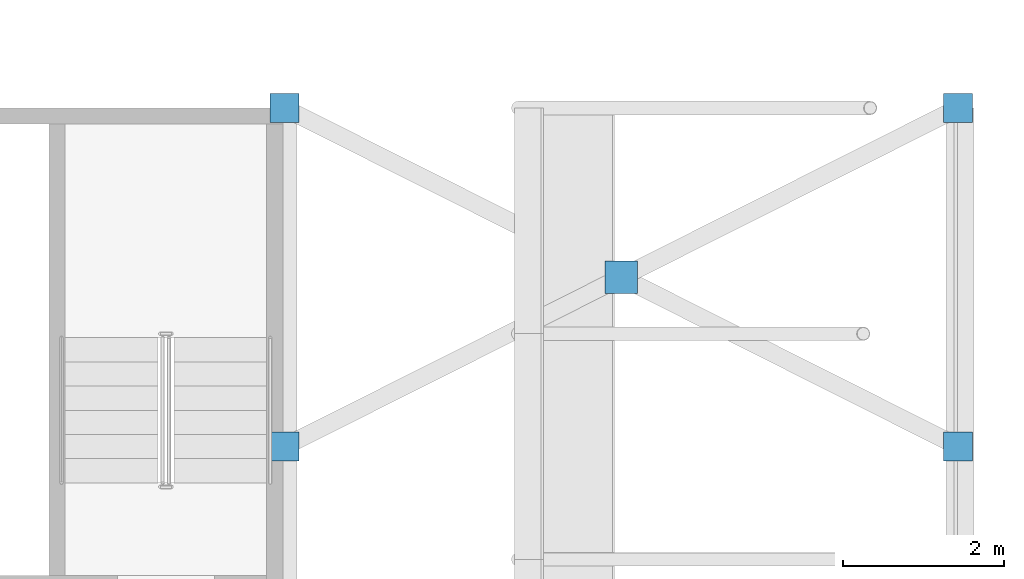
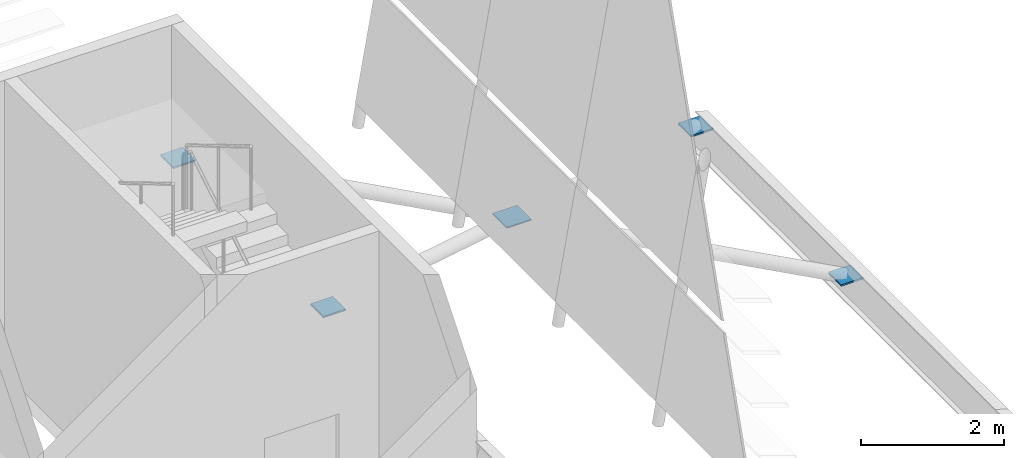
# One storey, part 43 of 82: 5 discrete accessories.
"""IFC4 building model written with IfcOpenShell, lengths in metres."""

from ifc_helpers import new_model, si_unit, direction, frame, origin, origin_2d, place, context, subcontext, project, spatial, rectangle, extrude, material, type_object, element, save


model = new_model("IFC4")

# Units and contexts
model_context = context("Model", 3, precision=1e-05, world=origin(), true_north=direction((0.0, 1.0)))
body_context = subcontext(model_context, "Body", "Model", "MODEL_VIEW")
ifc_project = project(units=[si_unit("LENGTHUNIT", "METRE"), si_unit("AREAUNIT", "SQUARE_METRE"), si_unit("VOLUMEUNIT", "CUBIC_METRE"), si_unit("PLANEANGLEUNIT", "RADIAN"), si_unit("MASSUNIT", "GRAM", prefix="KILO")], contexts=[model_context])

# Site, building, storey
site_placement = place(None, origin())
site = spatial("IfcSite", under=ifc_project, at=site_placement, CompositionType="ELEMENT")
building_placement = place(site_placement, origin())
building = spatial("IfcBuilding", under=site, at=building_placement, Name="Almond Square Museum", CompositionType="ELEMENT")
storey_placement = place(building_placement, frame((0.0, 0.0, 20.0)))
storey = spatial("IfcBuildingStorey", under=building, at=storey_placement, Name="L03", CompositionType="ELEMENT", Elevation=20.0)

# Discrete accessories
ifc_material_1 = material(Name="Structural steel S355", Category="steel")
discrete_accessory_type_1 = type_object("IfcDiscreteAccessoryType", Name="Brace crossing plate", PredefinedType="BRACKET", material=ifc_material_1)
discrete_accessory_placement = place(storey_placement, frame((153.0, 107.10009765625, 1.325927734375), z_axis=(0.0, 0.0, 1.0), x_axis=(1.0, 0.0, 0.0)))
element("IfcDiscreteAccessory", 1, at=discrete_accessory_placement, inside=storey, type_object=discrete_accessory_type_1, Name="Brace crossing plate", PredefinedType="BRACKET", context=body_context, shape_type="SweptSolid", body=[
    extrude(rectangle(XDim=0.39990234375, YDim=0.39990234375, at=origin_2d()), origin(), (0.0, 0.0, 1.0), 0.02001953125),
])
ifc_material_2 = material(Name="Structural steel S355", Category="steel")
discrete_accessory_type_2 = type_object("IfcDiscreteAccessoryType", Name="Brace end plate", PredefinedType="BRACKET", material=ifc_material_2)
for number, where, z_axis, x_axis, name in (
    (2, (148.820068359375, 109.199951171875, 2.51513671875), (0.0, 0.0, 1.0), (1.0, 0.0, 0.0), "Brace end plate"),
    (3, (157.179931640625, 105.0, 0.12646484375), (0.0, 0.0, 1.0), (1.0, 0.0, 0.0), "Brace end plate"),
    (4, (148.820068359375, 105.0, 2.51513671875), (0.0, 0.0, 1.0), (1.0, 0.0, 0.0), "Brace end plate"),
    (5, (157.179931640625, 109.199951171875, 0.12646484375), (0.0, 0.0, 1.0), (1.0, 0.0, 0.0), "Brace end plate"),
):
    element("IfcDiscreteAccessory", number, at=place(storey_placement, frame(where, z_axis=z_axis, x_axis=x_axis)), inside=storey, type_object=discrete_accessory_type_2, Name=name, PredefinedType="BRACKET", context=body_context, shape_type="SweptSolid", body=[
        extrude(rectangle(XDim=0.360107421875, YDim=0.360107421875, at=origin_2d()), origin(), (0.0, 0.0, 1.0), 0.030029296875),
    ])

save(model, "model.ifc")
